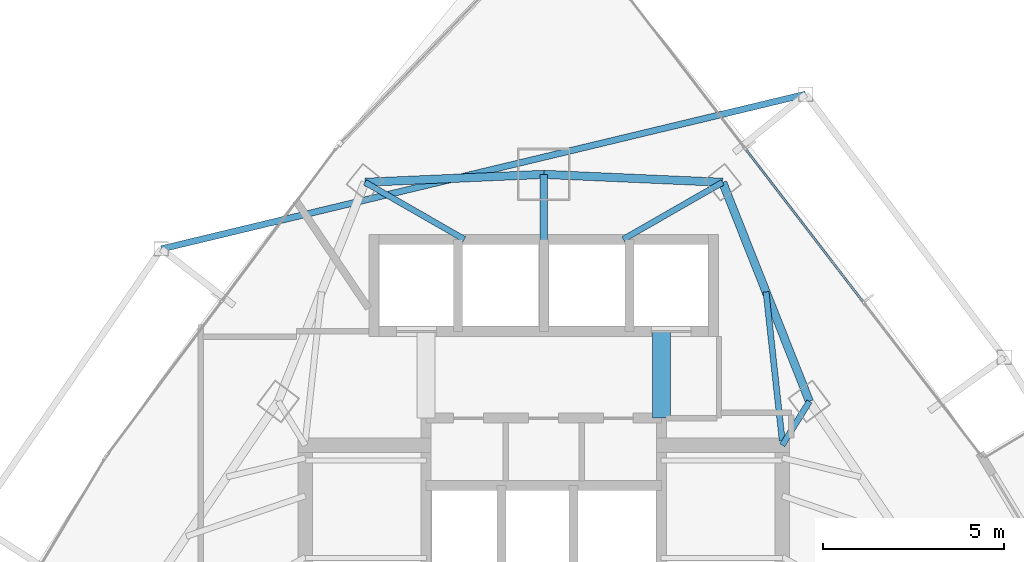
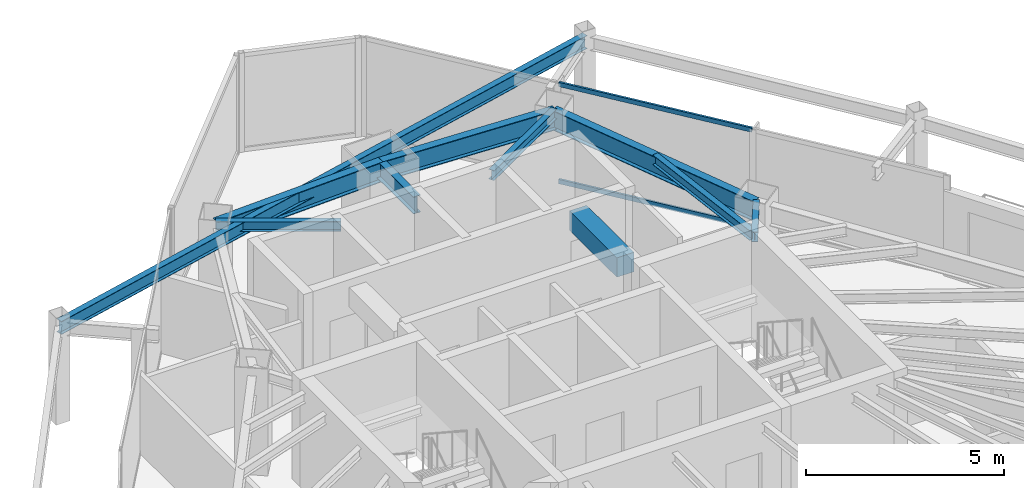
# One storey, part 22 of 30: 10 beams, 2 members, 1 element without a shape of its own.
"""IFC4 building model written with IfcOpenShell, lengths in metres."""

from ifc_helpers import new_model, si_unit, direction, frame, origin, origin_2d, place, context, subcontext, project, spatial, rectangle, hollow_rectangle, i_section, extrude, material, layer, layer_set, material_profile, profile_set, type_object, element, aggregate, save


model = new_model("IFC4")

# Units and contexts
model_context = context("Model", 3, precision=1e-05, world=origin(), true_north=direction((0.0, 1.0)))
body_context = subcontext(model_context, "Body", "Model", "MODEL_VIEW")
ifc_project = project(units=[si_unit("LENGTHUNIT", "METRE"), si_unit("AREAUNIT", "SQUARE_METRE"), si_unit("VOLUMEUNIT", "CUBIC_METRE"), si_unit("PLANEANGLEUNIT", "RADIAN"), si_unit("MASSUNIT", "GRAM", prefix="KILO")], contexts=[model_context])

# Site, building, storey
site_placement = place(None, origin())
site = spatial("IfcSite", under=ifc_project, at=site_placement, CompositionType="ELEMENT")
building_placement = place(site_placement, origin())
building = spatial("IfcBuilding", under=site, at=building_placement, Name="Orvanel Arch Residences", CompositionType="ELEMENT")
storey_placement = place(building_placement, frame((0.0, 0.0, 180.35009765625)))
storey = spatial("IfcBuildingStorey", under=building, at=storey_placement, Name="L51", CompositionType="ELEMENT", Elevation=180.35009765625)

# Beams
ifc_material_1 = material(Name="Structural steel AS/NZS 3679.1 Grade 300 (300 MPa)", Category="steel")
ifc_material_profile_1 = material_profile(ifc_material_1, i_section(OverallWidth=0.208984375, OverallDepth=0.532958984375, WebThickness=0.01025390625, FlangeThickness=0.015625, at=origin_2d()), Name="530UB92.4")
ifc_profile_set_1 = profile_set([ifc_material_profile_1], Name="Structural steel AS/NZS 3679.1 Grade 300 (300 MPa)")
beam_type_1 = type_object("IfcBeamType", Name="BG-530UB", PredefinedType="BEAM", material=ifc_profile_set_1)
beam_1_placement = place(storey_placement, frame((33.0, 39.550048828125, 2.79296875), z_axis=(0.0, 1.0, 0.0), x_axis=(-1.0, 0.0, 0.0)))
element("IfcBeam", 1, at=beam_1_placement, inside=storey, type_object=beam_type_1, Name="L51 North Radial Girder", PredefinedType="BEAM", context=body_context, shape_type="SweptSolid", body=[
    extrude(i_section(OverallWidth=0.208984375, OverallDepth=0.532958984375, WebThickness=0.01025390625, FlangeThickness=0.015625, at=origin_2d()), origin(), (0.0, 0.0, 1.0), 1.847900390625),
])
ifc_material_profile_2 = material_profile(ifc_material_1, i_section(OverallWidth=0.1650390625, OverallDepth=0.303955078125, WebThickness=0.006103515625, FlangeThickness=0.01025390625, at=origin_2d()), Name="310UB40.4")
ifc_profile_set_2 = profile_set([ifc_material_profile_2], Name="Structural steel AS/NZS 3679.1 Grade 300 (300 MPa)")
beam_type_2 = type_object("IfcBeamType", Name="BJ-310UB", PredefinedType="JOIST", material=ifc_profile_set_2)
beam_2_placement = place(storey_placement, frame((39.60009765625, 33.89990234375, 2.907958984375), z_axis=(0.526843290616, 0.84996243866, 0.0), x_axis=(-0.84996243866, 0.526843290616, 0.0)))
element("IfcBeam", 2, at=beam_2_placement, inside=storey, type_object=beam_type_2, Name="L51 NNE Wing Floor Joist", PredefinedType="JOIST", context=body_context, shape_type="SweptSolid", body=[
    extrude(i_section(OverallWidth=0.1650390625, OverallDepth=0.303955078125, WebThickness=0.006103515625, FlangeThickness=0.01025390625, at=origin_2d()), origin(), (0.0, 0.0, 1.0), 1.42724609375),
])
beam_3_placement = place(storey_placement, frame((39.60009765625, 34.02001953125, 2.907958984375), z_axis=(-0.108261441852, 0.99412245735, 0.0), x_axis=(-0.99412245735, -0.108261441852, 0.0)))
element("IfcBeam", 3, at=beam_3_placement, inside=storey, type_object=beam_type_2, Name="L51 NNE2 Wing Floor Joist", PredefinedType="JOIST", context=body_context, shape_type="SweptSolid", body=[
    extrude(i_section(OverallWidth=0.1650390625, OverallDepth=0.303955078125, WebThickness=0.006103515625, FlangeThickness=0.01025390625, at=origin_2d()), origin(), (0.0, 0.0, 1.0), 4.1494140625),
])
for number, where, z_axis, x_axis, name in (
    (4, (30.800048828125, 39.60009765625, 2.907958984375), (-0.86736513383, 0.497672306458, 0.0), (-0.497672306458, -0.86736513383, 0.0), "L51 MNW Wing Floor Joist"),
    (5, (35.199951171875, 39.60009765625, 2.907958984375), (0.86736513383, 0.497672306458, 0.0), (-0.497672306458, 0.86736513383, 0.0), "L51 MNE Wing Floor Joist"),
):
    element("IfcBeam", number, at=place(storey_placement, frame(where, z_axis=z_axis, x_axis=x_axis)), inside=storey, type_object=beam_type_2, Name=name, PredefinedType="JOIST", context=body_context, shape_type="SweptSolid", body=[
        extrude(i_section(OverallWidth=0.1650390625, OverallDepth=0.303955078125, WebThickness=0.006103515625, FlangeThickness=0.01025390625, at=origin_2d()), origin(), (0.0, 0.0, 1.0), 3.17041015625),
    ])
ifc_material_2 = material(Name="Concrete S65 (65 MPa)", Category="concrete")
ifc_material_profile_3 = material_profile(ifc_material_2, rectangle(XDim=0.5, YDim=0.60009765625, at=origin_2d()), Name="RC500x600")
ifc_profile_set_3 = profile_set([ifc_material_profile_3], Name="Concrete S65 (65 MPa)")
beam_type_3 = type_object("IfcBeamType", Name="CB-500x600", PredefinedType="LINTEL", material=ifc_profile_set_3)
beam_4_placement = place(storey_placement, frame((36.260009765625, 34.64990234375, 2.760009765625), z_axis=(0.0, 1.0, 0.0), x_axis=(-1.0, 0.0, 0.0)))
element("IfcBeam", 6, at=beam_4_placement, inside=storey, type_object=beam_type_3, Name="L51 East Core Lobby Coupling Lintel Beam", PredefinedType="LINTEL", context=body_context, shape_type="SweptSolid", body=[
    extrude(rectangle(XDim=0.5, YDim=0.60009765625, at=origin_2d()), origin(), (0.0, 0.0, 1.0), 2.400146484375),
])
ifc_material_profile_4 = material_profile(ifc_material_1, i_section(OverallWidth=0.177978515625, OverallDepth=0.406005859375, WebThickness=0.0078125, FlangeThickness=0.0126953125, at=origin_2d()), Name="410UB59.7")
ifc_profile_set_4 = profile_set([ifc_material_profile_4], Name="Structural steel AS/NZS 3679.1 Grade 300 (300 MPa)")
beam_type_4 = type_object("IfcBeamType", Name="OB-410UB-EXT", PredefinedType="SPANDREL", material=ifc_profile_set_4)
beam_5_placement = place(storey_placement, frame((40.2490234375, 43.614990234375, 2.85693359375), z_axis=(-0.972370505992, -0.233442924669, 0.0), x_axis=(0.233442924669, -0.972370505992, 0.0)))
element("IfcBeam", 7, at=beam_5_placement, inside=storey, type_object=beam_type_4, Name="L51 Outer Perimeter Floor Ring Beam 12", PredefinedType="SPANDREL", context=body_context, shape_type="SweptSolid", body=[
    extrude(i_section(OverallWidth=0.177978515625, OverallDepth=0.406005859375, WebThickness=0.0078125, FlangeThickness=0.0126953125, at=origin_2d()), origin(), (0.0, 0.0, 1.0), 18.3427734375),
])
ifc_material_profile_5 = material_profile(ifc_material_1, i_section(OverallWidth=0.22900390625, OverallDepth=0.612060546875, WebThickness=0.011962890625, FlangeThickness=0.01953125, at=origin_2d()), Name="610UB125")
ifc_profile_set_5 = profile_set([ifc_material_profile_5], Name="Structural steel AS/NZS 3679.1 Grade 300 (300 MPa)")
beam_type_5 = type_object("IfcBeamType", Name="SP-610UB", PredefinedType="SPANDREL", material=ifc_profile_set_5)
beam_6_placement = place(storey_placement, frame((40.35205078125, 35.113037109375, 2.75390625), z_axis=(-0.368233143579, 0.929733484376, 0.0), x_axis=(-0.929733484376, -0.368233143579, 0.0)))
element("IfcBeam", 8, at=beam_6_placement, inside=storey, type_object=beam_type_5, Name="L51 Perimeter Spandrel Beam 13", PredefinedType="SPANDREL", context=body_context, shape_type="SweptSolid", body=[
    extrude(i_section(OverallWidth=0.22900390625, OverallDepth=0.612060546875, WebThickness=0.011962890625, FlangeThickness=0.01953125, at=origin_2d()), origin(), (0.0, 0.0, 1.0), 6.523193359375),
])
for number, where, z_axis, x_axis, name in (
    (9, (37.949951171875, 41.177978515625, 2.75390625), (-0.999014049296, 0.044395149614, 0.0), (-0.044395149614, -0.999014049296, 0.0), "L51 Perimeter Spandrel Beam 14"),
    (10, (33.0, 41.39794921875, 2.75390625), (-0.999014049296, -0.044395149614, 0.0), (0.044395149614, -0.999014049296, 0.0), "L51 Perimeter Spandrel Beam 15"),
):
    element("IfcBeam", number, at=place(storey_placement, frame(where, z_axis=z_axis, x_axis=x_axis)), inside=storey, type_object=beam_type_5, Name=name, PredefinedType="SPANDREL", context=body_context, shape_type="SweptSolid", body=[
        extrude(i_section(OverallWidth=0.22900390625, OverallDepth=0.612060546875, WebThickness=0.011962890625, FlangeThickness=0.01953125, at=origin_2d()), origin(), (0.0, 0.0, 1.0), 4.954833984375),
    ])

# Curtain wall, members
ifc_material_3 = material(Name="Bronze-anodised aluminium AA6063-T6", Category="aluminium")
ifc_layer = layer(ifc_material_3, 0.179931640625)
ifc_layer_set = layer_set([ifc_layer], Name="Bronze-anodised aluminium AA6063-T6")
curtain_wall_type = type_object("IfcCurtainWallType", Name="CW3-MID-SYS", PredefinedType="NOTDEFINED", material=ifc_layer_set)
curtain_wall_placement = place(storey_placement, origin())
curtain_wall = element("IfcCurtainWall", 11, at=curtain_wall_placement, inside=storey, type_object=curtain_wall_type, Name="L51 CW3-MID-SYS Unitised Curtain Wall", PredefinedType="NOTDEFINED")
ifc_material_profile_6 = material_profile(ifc_material_3, hollow_rectangle(XDim=0.06005859375, YDim=0.135009765625, WallThickness=0.00390625, at=origin_2d()), Name="ALU135x60x4")
ifc_profile_set_6 = profile_set([ifc_material_profile_6], Name="Bronze-anodised aluminium AA6063-T6")
member_type = type_object("IfcMemberType", Name="TRN-135x60", PredefinedType="USERDEFINED", material=ifc_profile_set_6)
member_1_placement = place(storey_placement, frame((41.8232421875, 37.8857421875, 0.02978515625), z_axis=(-0.609511941255, 0.792776887572, 0.0), x_axis=(-0.792776887572, -0.609511941255, 0.0)))
member_1 = element("IfcMember", 12, at=member_1_placement, type_object=member_type, Name="CW-S3 transom 2.1", ObjectType="TRANSOM", PredefinedType="USERDEFINED", context=body_context, shape_type="SweptSolid", body=[
    extrude(hollow_rectangle(XDim=0.06005859375, YDim=0.135009765625, WallThickness=0.00390625, at=origin_2d()), origin(), (0.0, 0.0, 1.0), 5.281982421875),
])
member_2_placement = place(storey_placement, frame((41.8232421875, 37.8857421875, 3.02978515625), z_axis=(-0.609511941255, 0.792776887572, 0.0), x_axis=(-0.792776887572, -0.609511941255, 0.0)))
member_2 = element("IfcMember", 13, at=member_2_placement, type_object=member_type, Name="CW-S3 transom 2.2", ObjectType="TRANSOM", PredefinedType="USERDEFINED", context=body_context, shape_type="SweptSolid", body=[
    extrude(hollow_rectangle(XDim=0.06005859375, YDim=0.135009765625, WallThickness=0.00390625, at=origin_2d()), origin(), (0.0, 0.0, 1.0), 5.281982421875),
])
aggregate(curtain_wall, [member_1, member_2])

save(model, "model.ifc")
